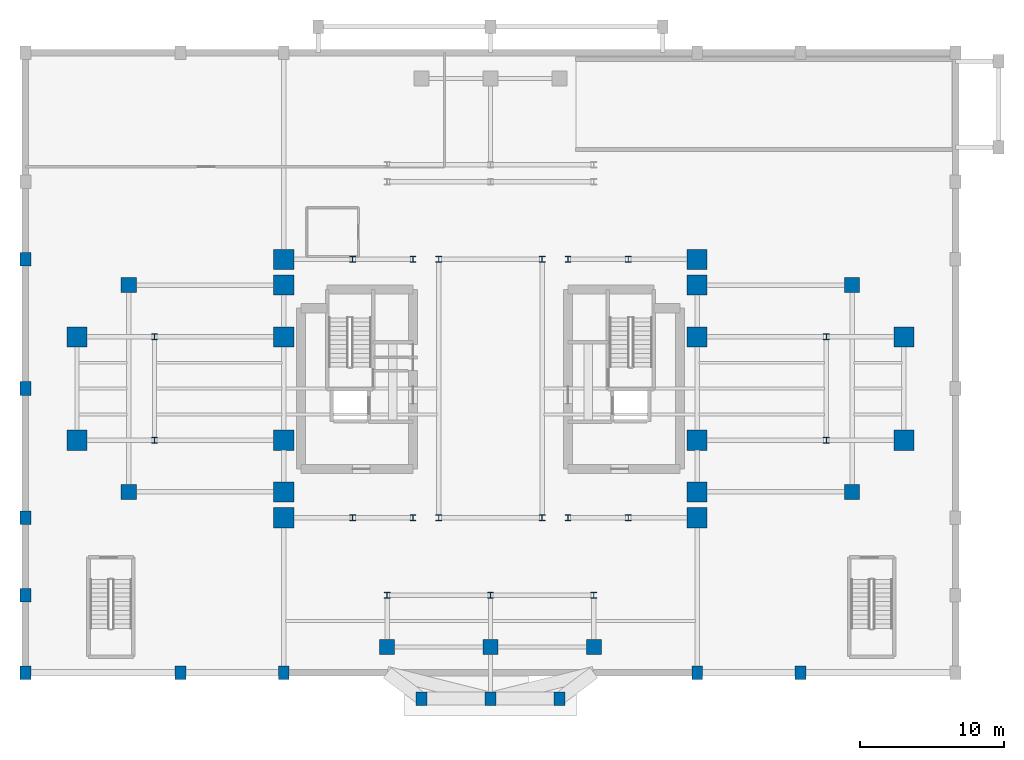
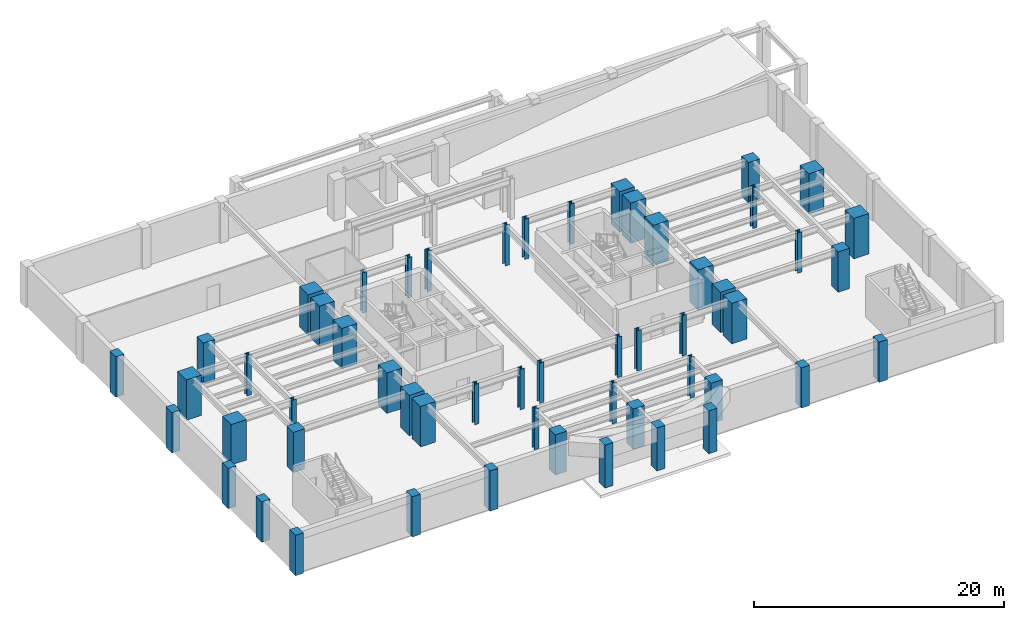
# One storey, part 1 of 9: 54 columns.
"""IFC4 building model written with IfcOpenShell, lengths in metres."""

from ifc_helpers import new_model, si_unit, direction, frame, origin, origin_2d, place, context, subcontext, project, spatial, rectangle, i_section, extrude, source, transform, mapped, material, material_profile, profile_set, type_object, element, save


model = new_model("IFC4")

# Units and contexts
model_context = context("Model", 3, precision=1e-05, world=origin(), true_north=direction((0.0, 1.0)))
body_context = subcontext(model_context, "Body", "Model", "MODEL_VIEW")
ifc_project = project(units=[si_unit("LENGTHUNIT", "METRE"), si_unit("AREAUNIT", "SQUARE_METRE"), si_unit("VOLUMEUNIT", "CUBIC_METRE"), si_unit("PLANEANGLEUNIT", "RADIAN"), si_unit("MASSUNIT", "GRAM", prefix="KILO")], contexts=[model_context])

# Site, building, storey
site_placement = place(None, origin())
site = spatial("IfcSite", under=ifc_project, at=site_placement, CompositionType="ELEMENT")
building_placement = place(site_placement, origin())
building = spatial("IfcBuilding", under=site, at=building_placement, Name="Keilestroom Media Tower", CompositionType="ELEMENT")
storey_placement = place(building_placement, frame((0.0, 0.0, -4.199951171875)))
storey = spatial("IfcBuildingStorey", under=building, at=storey_placement, Name="B1", CompositionType="ELEMENT", Elevation=-4.199951171875)

# Columns
ifc_material_1 = material(Name="Precast concrete C40/50", Category="concrete")
ifc_material_profile_1 = material_profile(ifc_material_1, rectangle(XDim=0.75, YDim=0.949951171875, at=origin_2d()), Name="PC 950x750")
ifc_profile_set_1 = profile_set([ifc_material_profile_1], Name="Precast concrete C40/50")
column_type_1 = type_object("IfcColumnType", Name="Structural-Column-PC-950x750", PredefinedType="COLUMN", material=ifc_profile_set_1)
shared_shape_1 = source(origin(), body_context, "Body", "SweptSolid", [
    extrude(rectangle(XDim=0.75, YDim=0.949951171875, at=origin_2d()), origin(), (0.0, 0.0, 1.0), 3.949951171875),
])
for number, where, z_axis, x_axis, name in (
    (1, (-32.39990234375, -19.800048828125, 0.0), (0.0, 0.0, 1.0), (1.0, 0.0, 0.0), "B1 Column PC-1 (-32.4,-19.8)"),
    (2, (-32.39990234375, -14.39990234375, 0.0), (0.0, 0.0, 1.0), (1.0, 0.0, 0.0), "B1 Column PC-1 (-32.4,-14.4)"),
    (3, (-32.39990234375, -9.0, 0.0), (0.0, 0.0, 1.0), (1.0, 0.0, 0.0), "B1 Column PC-1 (-32.4,-9.0)"),
    (4, (-32.39990234375, 0.0, 0.0), (0.0, 0.0, 1.0), (1.0, 0.0, 0.0), "B1 Column PC-1 (-32.4,+0.0)"),
    (5, (-32.39990234375, 9.0, 0.0), (0.0, 0.0, 1.0), (1.0, 0.0, 0.0), "B1 Column PC-1 (-32.4,+9.0)"),
    (6, (-21.60009765625, -19.800048828125, 0.0), (0.0, 0.0, 1.0), (1.0, 0.0, 0.0), "B1 Column PC-1 (-21.6,-19.8)"),
    (7, (-14.39990234375, -19.800048828125, 0.0), (0.0, 0.0, 1.0), (1.0, 0.0, 0.0), "B1 Column PC-1 (-14.4,-19.8)"),
    (8, (14.39990234375, -19.800048828125, 0.0), (0.0, 0.0, 1.0), (1.0, 0.0, 0.0), "B1 Column PC-1 (+14.4,-19.8)"),
    (9, (21.60009765625, -19.800048828125, 0.0), (0.0, 0.0, 1.0), (1.0, 0.0, 0.0), "B1 Column PC-1 (+21.6,-19.8)"),
):
    element("IfcColumn", number, at=place(storey_placement, frame(where, z_axis=z_axis, x_axis=x_axis)), inside=storey, type_object=column_type_1, Name=name, PredefinedType="COLUMN", context=body_context, shape_type="MappedRepresentation", body=[
        mapped(shared_shape_1, transform((0.0, 0.0, 0.0), x_axis=(1.0, 0.0, 0.0), y_axis=(0.0, 1.0, 0.0), z_axis=(0.0, 0.0, 1.0), scale=1.0)),
    ])
ifc_material_2 = material(Name="Concrete C70/85", Category="concrete")
ifc_material_profile_2 = material_profile(ifc_material_2, rectangle(XDim=1.39990234375, YDim=1.39990234375, at=origin_2d()), Name="RC 1400x1400")
ifc_profile_set_2 = profile_set([ifc_material_profile_2], Name="Concrete C70/85")
column_type_2 = type_object("IfcColumnType", Name="Structural-Column-RC-1400x1400", PredefinedType="COLUMN", material=ifc_profile_set_2)
shared_shape_2 = source(origin(), body_context, "Body", "SweptSolid", [
    extrude(rectangle(XDim=1.39990234375, YDim=1.39990234375, at=origin_2d()), origin(), (0.0, 0.0, 1.0), 3.949951171875),
])
for number, where, z_axis, x_axis, name in (
    (10, (-28.800048828125, -3.60009765625, 0.0), (0.0, 0.0, 1.0), (1.0, 0.0, 0.0), "B1 Column MC-1 (-28.8,-3.6)"),
    (11, (-28.800048828125, 3.60009765625, 0.0), (0.0, 0.0, 1.0), (1.0, 0.0, 0.0), "B1 Column MC-1 (-28.8,+3.6)"),
    (12, (-14.39990234375, -9.0, 0.0), (0.0, 0.0, 1.0), (1.0, 0.0, 0.0), "B1 Column MC-1 (-14.4,-9.0)"),
    (13, (-14.39990234375, -7.199951171875, 0.0), (0.0, 0.0, 1.0), (1.0, 0.0, 0.0), "B1 Column MC-1 (-14.4,-7.2)"),
    (14, (-14.39990234375, -3.60009765625, 0.0), (0.0, 0.0, 1.0), (1.0, 0.0, 0.0), "B1 Column MC-1 (-14.4,-3.6)"),
    (15, (-14.39990234375, 3.60009765625, 0.0), (0.0, 0.0, 1.0), (1.0, 0.0, 0.0), "B1 Column MC-1 (-14.4,+3.6)"),
    (16, (-14.39990234375, 7.199951171875, 0.0), (0.0, 0.0, 1.0), (1.0, 0.0, 0.0), "B1 Column MC-1 (-14.4,+7.2)"),
    (17, (-14.39990234375, 9.0, 0.0), (0.0, 0.0, 1.0), (1.0, 0.0, 0.0), "B1 Column MC-1 (-14.4,+9.0)"),
    (18, (14.39990234375, -9.0, 0.0), (0.0, 0.0, 1.0), (1.0, 0.0, 0.0), "B1 Column MC-1 (+14.4,-9.0)"),
    (19, (14.39990234375, -7.199951171875, 0.0), (0.0, 0.0, 1.0), (1.0, 0.0, 0.0), "B1 Column MC-1 (+14.4,-7.2)"),
    (20, (14.39990234375, -3.60009765625, 0.0), (0.0, 0.0, 1.0), (1.0, 0.0, 0.0), "B1 Column MC-1 (+14.4,-3.6)"),
    (21, (14.39990234375, 3.60009765625, 0.0), (0.0, 0.0, 1.0), (1.0, 0.0, 0.0), "B1 Column MC-1 (+14.4,+3.6)"),
    (22, (14.39990234375, 7.199951171875, 0.0), (0.0, 0.0, 1.0), (1.0, 0.0, 0.0), "B1 Column MC-1 (+14.4,+7.2)"),
    (23, (14.39990234375, 9.0, 0.0), (0.0, 0.0, 1.0), (1.0, 0.0, 0.0), "B1 Column MC-1 (+14.4,+9.0)"),
    (24, (28.800048828125, -3.60009765625, 0.0), (0.0, 0.0, 1.0), (1.0, 0.0, 0.0), "B1 Column MC-1 (+28.8,-3.6)"),
    (25, (28.800048828125, 3.60009765625, 0.0), (0.0, 0.0, 1.0), (1.0, 0.0, 0.0), "B1 Column MC-1 (+28.8,+3.6)"),
):
    element("IfcColumn", number, at=place(storey_placement, frame(where, z_axis=z_axis, x_axis=x_axis)), inside=storey, type_object=column_type_2, Name=name, PredefinedType="COLUMN", context=body_context, shape_type="MappedRepresentation", body=[
        mapped(shared_shape_2, transform((0.0, 0.0, 0.0), x_axis=(1.0, 0.0, 0.0), y_axis=(0.0, 1.0, 0.0), z_axis=(0.0, 0.0, 1.0), scale=1.0)),
    ])
shared_shape_3 = source(origin(), body_context, "Body", "SweptSolid", [
    extrude(rectangle(XDim=0.75, YDim=0.949951171875, at=origin_2d()), origin(), (0.0, 0.0, 1.0), 4.199951171875),
])
for number, where, z_axis, x_axis, name in (
    (26, (-4.800048828125, -21.60009765625, 0.0), (0.0, 0.0, 1.0), (1.0, 0.0, 0.0), "B1 Column PC-1 (-4.8,-21.6)"),
    (27, (0.0, -21.60009765625, 0.0), (0.0, 0.0, 1.0), (1.0, 0.0, 0.0), "B1 Column PC-1 (+0.0,-21.6)"),
    (28, (4.800048828125, -21.60009765625, 0.0), (0.0, 0.0, 1.0), (1.0, 0.0, 0.0), "B1 Column PC-1 (+4.8,-21.6)"),
):
    element("IfcColumn", number, at=place(storey_placement, frame(where, z_axis=z_axis, x_axis=x_axis)), inside=storey, type_object=column_type_1, Name=name, PredefinedType="COLUMN", context=body_context, shape_type="MappedRepresentation", body=[
        mapped(shared_shape_3, transform((0.0, 0.0, 0.0), x_axis=(1.0, 0.0, 0.0), y_axis=(0.0, 1.0, 0.0), z_axis=(0.0, 0.0, 1.0), scale=1.0)),
    ])
ifc_material_3 = material(Name="Concrete C55/67", Category="concrete")
ifc_material_profile_3 = material_profile(ifc_material_3, rectangle(XDim=1.050048828125, YDim=1.050048828125, at=origin_2d()), Name="RC 1050x1050")
ifc_profile_set_3 = profile_set([ifc_material_profile_3], Name="Concrete C55/67")
column_type_3 = type_object("IfcColumnType", Name="Structural-Column-RC-1050x1050", PredefinedType="COLUMN", material=ifc_profile_set_3)
shared_shape_4 = source(origin(), body_context, "Body", "SweptSolid", [
    extrude(rectangle(XDim=1.050048828125, YDim=1.050048828125, at=origin_2d()), origin(), (0.0, 0.0, 1.0), 3.949951171875),
])
for number, where, z_axis, x_axis, name in (
    (29, (-25.199951171875, -7.199951171875, 0.0), (0.0, 0.0, 1.0), (1.0, 0.0, 0.0), "B1 Column MC-3 (-25.2,-7.2)"),
    (30, (-25.199951171875, 7.199951171875, 0.0), (0.0, 0.0, 1.0), (1.0, 0.0, 0.0), "B1 Column MC-3 (-25.2,+7.2)"),
    (31, (-7.199951171875, -18.0, 0.0), (0.0, 0.0, 1.0), (1.0, 0.0, 0.0), "B1 Column MC-3 (-7.2,-18.0)"),
    (32, (0.0, -18.0, 0.0), (0.0, 0.0, 1.0), (1.0, 0.0, 0.0), "B1 Column MC-3 (+0.0,-18.0)"),
    (33, (7.199951171875, -18.0, 0.0), (0.0, 0.0, 1.0), (1.0, 0.0, 0.0), "B1 Column MC-3 (+7.2,-18.0)"),
    (34, (25.199951171875, -7.199951171875, 0.0), (0.0, 0.0, 1.0), (1.0, 0.0, 0.0), "B1 Column MC-3 (+25.2,-7.2)"),
    (35, (25.199951171875, 7.199951171875, 0.0), (0.0, 0.0, 1.0), (1.0, 0.0, 0.0), "B1 Column MC-3 (+25.2,+7.2)"),
):
    element("IfcColumn", number, at=place(storey_placement, frame(where, z_axis=z_axis, x_axis=x_axis)), inside=storey, type_object=column_type_3, Name=name, PredefinedType="COLUMN", context=body_context, shape_type="MappedRepresentation", body=[
        mapped(shared_shape_4, transform((0.0, 0.0, 0.0), x_axis=(1.0, 0.0, 0.0), y_axis=(0.0, 1.0, 0.0), z_axis=(0.0, 0.0, 1.0), scale=1.0)),
    ])
ifc_material_4 = material(Name="Steel S460", Category="steel")
ifc_material_profile_4 = material_profile(ifc_material_4, i_section(OverallWidth=0.406005859375, OverallDepth=0.416015625, WebThickness=0.02392578125, FlangeThickness=0.0390625, at=origin_2d()), Name="HD 400x382")
ifc_profile_set_4 = profile_set([ifc_material_profile_4], Name="Steel S460")
column_type_4 = type_object("IfcColumnType", Name="Structural-Column-HD-400x382", PredefinedType="COLUMN", material=ifc_profile_set_4)
shared_shape_5 = source(origin(), body_context, "Body", "SweptSolid", [
    extrude(i_section(OverallWidth=0.406005859375, OverallDepth=0.416015625, WebThickness=0.02392578125, FlangeThickness=0.0390625, at=origin_2d()), origin(), (0.0, 0.0, 1.0), 3.949951171875),
])
for number, where, z_axis, x_axis, name in (
    (36, (-23.39990234375, -3.60009765625, 0.0), (0.0, 0.0, 1.0), (1.0, 0.0, 0.0), "B1 Column SC-1 (-23.4,-3.6)"),
    (37, (-23.39990234375, 3.60009765625, 0.0), (0.0, 0.0, 1.0), (1.0, 0.0, 0.0), "B1 Column SC-1 (-23.4,+3.6)"),
    (38, (-9.60009765625, -9.0, 0.0), (0.0, 0.0, 1.0), (1.0, 0.0, 0.0), "B1 Column SC-1 (-9.6,-9.0)"),
    (39, (-9.60009765625, 9.0, 0.0), (0.0, 0.0, 1.0), (1.0, 0.0, 0.0), "B1 Column SC-1 (-9.6,+9.0)"),
    (40, (-7.199951171875, -14.39990234375, 0.0), (0.0, 0.0, 1.0), (1.0, 0.0, 0.0), "B1 Column SC-1 (-7.2,-14.4)"),
    (41, (-5.39990234375, -9.0, 0.0), (0.0, 0.0, 1.0), (1.0, 0.0, 0.0), "B1 Column SC-1 (-5.4,-9.0)"),
    (42, (-5.39990234375, 9.0, 0.0), (0.0, 0.0, 1.0), (1.0, 0.0, 0.0), "B1 Column SC-1 (-5.4,+9.0)"),
    (43, (-3.60009765625, -9.0, 0.0), (0.0, 0.0, 1.0), (1.0, 0.0, 0.0), "B1 Column SC-1 (-3.6,-9.0)"),
    (44, (-3.60009765625, 9.0, 0.0), (0.0, 0.0, 1.0), (1.0, 0.0, 0.0), "B1 Column SC-1 (-3.6,+9.0)"),
    (45, (0.0, -14.39990234375, 0.0), (0.0, 0.0, 1.0), (1.0, 0.0, 0.0), "B1 Column SC-1 (+0.0,-14.4)"),
    (46, (3.60009765625, -9.0, 0.0), (0.0, 0.0, 1.0), (1.0, 0.0, 0.0), "B1 Column SC-1 (+3.6,-9.0)"),
    (47, (3.60009765625, 9.0, 0.0), (0.0, 0.0, 1.0), (1.0, 0.0, 0.0), "B1 Column SC-1 (+3.6,+9.0)"),
    (48, (5.39990234375, -9.0, 0.0), (0.0, 0.0, 1.0), (1.0, 0.0, 0.0), "B1 Column SC-1 (+5.4,-9.0)"),
    (49, (5.39990234375, 9.0, 0.0), (0.0, 0.0, 1.0), (1.0, 0.0, 0.0), "B1 Column SC-1 (+5.4,+9.0)"),
    (50, (7.199951171875, -14.39990234375, 0.0), (0.0, 0.0, 1.0), (1.0, 0.0, 0.0), "B1 Column SC-1 (+7.2,-14.4)"),
    (51, (9.60009765625, -9.0, 0.0), (0.0, 0.0, 1.0), (1.0, 0.0, 0.0), "B1 Column SC-1 (+9.6,-9.0)"),
    (52, (9.60009765625, 9.0, 0.0), (0.0, 0.0, 1.0), (1.0, 0.0, 0.0), "B1 Column SC-1 (+9.6,+9.0)"),
    (53, (23.39990234375, -3.60009765625, 0.0), (0.0, 0.0, 1.0), (1.0, 0.0, 0.0), "B1 Column SC-1 (+23.4,-3.6)"),
    (54, (23.39990234375, 3.60009765625, 0.0), (0.0, 0.0, 1.0), (1.0, 0.0, 0.0), "B1 Column SC-1 (+23.4,+3.6)"),
):
    element("IfcColumn", number, at=place(storey_placement, frame(where, z_axis=z_axis, x_axis=x_axis)), inside=storey, type_object=column_type_4, Name=name, PredefinedType="COLUMN", context=body_context, shape_type="MappedRepresentation", body=[
        mapped(shared_shape_5, transform((0.0, 0.0, 0.0), x_axis=(1.0, 0.0, 0.0), y_axis=(0.0, 1.0, 0.0), z_axis=(0.0, 0.0, 1.0), scale=1.0)),
    ])

save(model, "model.ifc")
